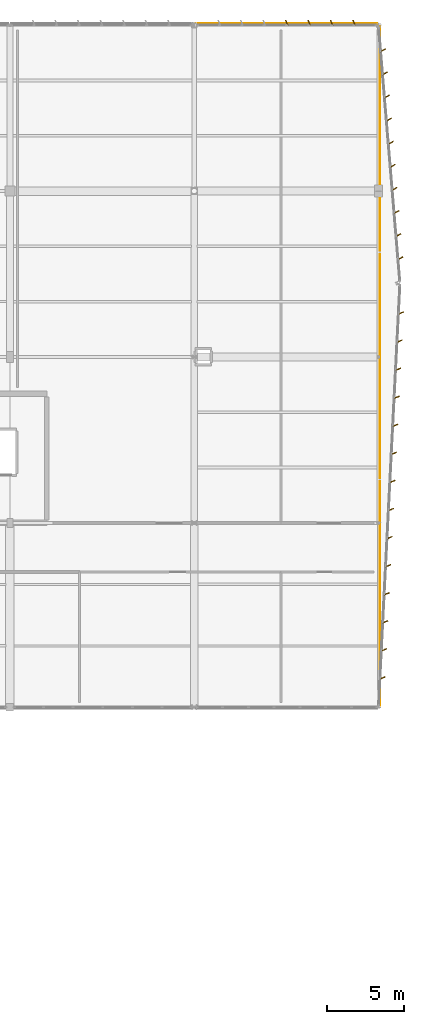
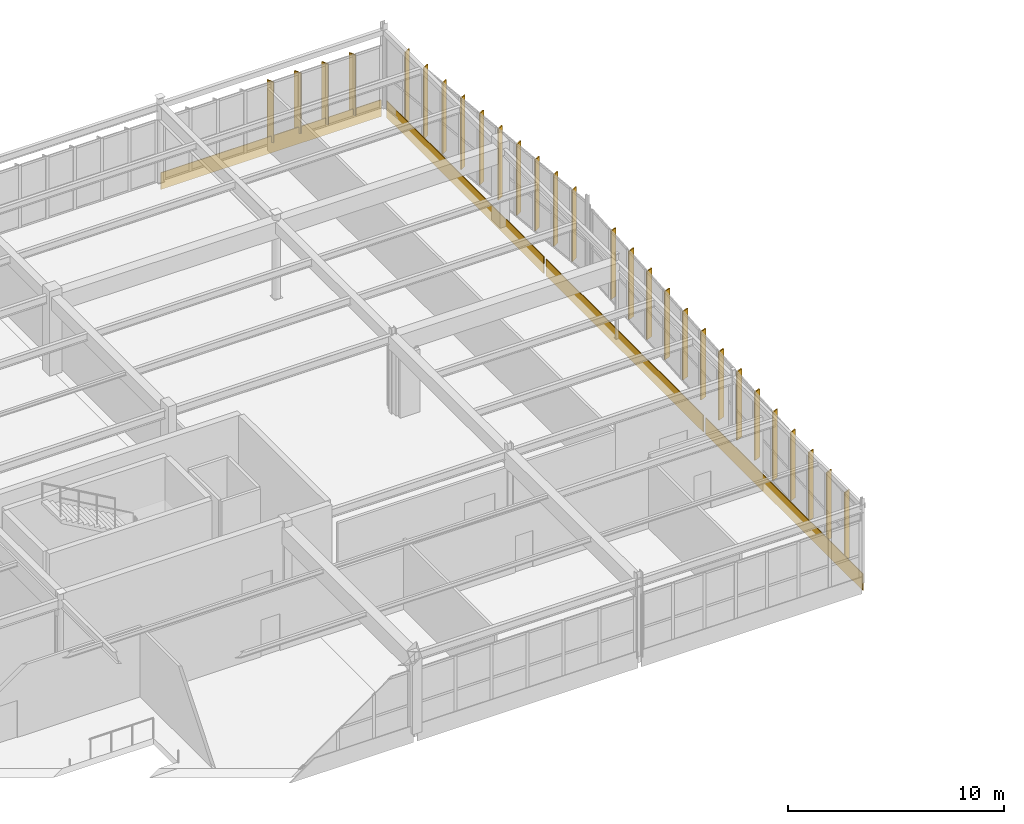
# One storey, part 226 of 226: 28 shading devices, 4 coverings.
"""IFC4 building model written with IfcOpenShell, lengths in metres."""

import ifcopenshell
import ifcopenshell.guid

model = None  # the IFC model being written
_history = None  # IfcOwnerHistory: only IFC2X3 demands one
_inside = {}  # id of a spatial element -> (the spatial element, [elements in it])
_under = {}  # id of a project, library or spatial element -> (it, [spatial elements below it])
_declared = {}  # id of a project -> (the project, [libraries it declares])
_typed = {}  # id of a type object -> (the type object, [elements of that type])
_made_of = {}  # id of a material, layer set ... -> (it, [elements and type objects made of it])


def new_model(schema):
    """Start an empty IFC model of exactly this schema.

    Asked for "IFC4X3", IfcOpenShell would pick the latest addendum, in which some entities
    have other attributes; the version numbers below select the first issue.
    IFC2X3 requires an IfcOwnerHistory on every rooted entity: one is made here for all.
    """
    global model, _history
    if schema == "IFC4X3":
        model = ifcopenshell.file(schema_version=(4, 3, 0, 0))
    else:
        model = ifcopenshell.file(schema=schema)
    _inside.clear()
    _under.clear()
    _declared.clear()
    _typed.clear()
    _made_of.clear()
    _history = None
    if model.schema == "IFC2X3":
        org = make("IfcOrganization", Name="unknown")
        user = make(
            "IfcPersonAndOrganization",
            ThePerson=make("IfcPerson", FamilyName="unknown"),
            TheOrganization=org,
        )
        app = make(
            "IfcApplication",
            ApplicationDeveloper=org,
            Version="unknown",
            ApplicationFullName="unknown",
            ApplicationIdentifier="unknown",
        )
        _history = make(
            "IfcOwnerHistory",
            OwningUser=user,
            OwningApplication=app,
            ChangeAction="ADDED",
            CreationDate=0,
        )
    return model


def make(cls, **values):
    """One entity of the class cls with the attributes given. An attribute that is None is left unset."""
    return model.create_entity(
        cls, **{name: value for name, value in values.items() if value is not None}
    )


def rooted(cls, **values):
    """An entity with a GlobalId (a new one), such as an element, a storey or a relation."""
    return make(cls, GlobalId=ifcopenshell.guid.new(), OwnerHistory=_history, **values)


def si_unit(unit_type, name, prefix=None):
    """IfcSIUnit, for example si_unit("LENGTHUNIT", "METRE", prefix="MILLI")."""
    return make("IfcSIUnit", UnitType=unit_type, Prefix=prefix, Name=name)


def assignment(units):
    """IfcUnitAssignment: the units of a project."""
    return None if units is None else make("IfcUnitAssignment", Units=units)


def point(xyz):
    """IfcCartesianPoint."""
    return None if xyz is None else make("IfcCartesianPoint", Coordinates=xyz)


def direction(xyz):
    """IfcDirection."""
    return None if xyz is None else make("IfcDirection", DirectionRatios=xyz)


def frame(location, z_axis=None, x_axis=None):
    """IfcAxis2Placement3D, a coordinate frame: its origin and axes. An axis left out is left unset."""
    return make(
        "IfcAxis2Placement3D",
        Location=point(location),
        Axis=direction(z_axis),
        RefDirection=direction(x_axis),
    )


def frame_2d(location, x_axis=None):
    """IfcAxis2Placement2D, a coordinate frame in the plane: its origin and x axis."""
    return make(
        "IfcAxis2Placement2D", Location=point(location), RefDirection=direction(x_axis)
    )


def origin():
    """The frame at (0, 0, 0) with its axes left unset."""
    return frame((0.0, 0.0, 0.0))


def origin_2d():
    """The frame at (0, 0) in the plane with its x axis left unset."""
    return frame_2d((0.0, 0.0))


def place(relative_to, where):
    """IfcLocalPlacement: puts the frame where relative to a parent placement (None: the world)."""
    return make(
        "IfcLocalPlacement", PlacementRelTo=relative_to, RelativePlacement=where
    )


def context(
    kind, dimensions, precision=None, world=None, true_north=None, identifier=None
):
    """IfcGeometricRepresentationContext, for example the 3D "Model" context."""
    return make(
        "IfcGeometricRepresentationContext",
        ContextIdentifier=identifier,
        ContextType=kind,
        CoordinateSpaceDimension=dimensions,
        Precision=precision,
        WorldCoordinateSystem=world,
        TrueNorth=true_north,
    )


def subcontext(parent, identifier, kind, view, scale=None):
    """IfcGeometricRepresentationSubContext, for example "Body" below "Model"."""
    return make(
        "IfcGeometricRepresentationSubContext",
        ContextIdentifier=identifier,
        ContextType=kind,
        ParentContext=parent,
        TargetScale=scale,
        TargetView=view,
    )


def project(units=None, contexts=None):
    """IfcProject with its units and contexts."""
    return rooted(
        "IfcProject",
        Name="project",
        RepresentationContexts=contexts,
        UnitsInContext=assignment(units),
    )


def spatial(cls, under=None, at=None, **own):
    """A site, building, storey or space (cls), placed at a placement, below another one or the project."""
    s = rooted(cls, ObjectPlacement=at, **own)
    if under is not None:
        _under.setdefault(under.id(), (under, []))[1].append(s)
    return s


def profile(cls, at=None, kind="AREA", **sizes):
    """A parametric profile (cls). Its sizes go by their IFC names, for example OverallWidth=200.0."""
    return make(cls, ProfileType=kind, Position=at, **sizes)


def rectangle(**sizes):
    """IfcRectangleProfileDef."""
    return profile("IfcRectangleProfileDef", **sizes)


def extrude(swept, where, along, depth):
    """IfcExtrudedAreaSolid: the profile swept, set in the frame where, extruded along a direction by depth."""
    return make(
        "IfcExtrudedAreaSolid",
        SweptArea=swept,
        Position=where,
        ExtrudedDirection=direction(along),
        Depth=depth,
    )


def shape(context_of_items, identifier, shape_type, items):
    """IfcShapeRepresentation: the items that make up one representation, for example the "Body"."""
    return make(
        "IfcShapeRepresentation",
        ContextOfItems=context_of_items,
        RepresentationIdentifier=identifier,
        RepresentationType=shape_type,
        Items=items,
    )


def material(Name=None, Category=None):
    """IfcMaterial."""
    return make("IfcMaterial", Name=Name, Category=Category)


def layer(
    of_material, thickness, ventilated=None, Name=None, Category=None, Priority=None
):
    """IfcMaterialLayer: one layer of a wall or slab, of a material (None: an air gap)."""
    return make(
        "IfcMaterialLayer",
        Material=of_material,
        LayerThickness=thickness,
        IsVentilated=ventilated,
        Name=Name,
        Category=Category,
        Priority=Priority,
    )


def layer_set(layers, Name=None):
    """IfcMaterialLayerSet."""
    return make("IfcMaterialLayerSet", MaterialLayers=layers, LayerSetName=Name)


def made_of(thing, what):
    """Note that an element or type object is made of a material, layer set ...; save() writes the relation."""
    if what is not None:
        _made_of.setdefault(what.id(), (what, []))[1].append(thing)
    return thing


def type_object(cls, material=None, **own):
    """A type object (cls), such as IfcWallType, which elements share."""
    return made_of(rooted(cls, **own), material)


def element(
    cls,
    number,
    at=None,
    inside=None,
    cuts=None,
    type_object=None,
    material=None,
    context=None,
    identifier="Body",
    shape_type=None,
    held_by="IfcProductDefinitionShape",
    body=None,
    shapes=None,
    **own,
):
    """One element of the class cls, such as IfcWall. Its Tag is "e" and its number.

    at: its placement. inside: the storey or other place that contains it. cuts: it is an
    opening in that element (IfcRelVoidsElement). A single representation is given by context,
    identifier, shape_type and body (its items); several are given by shapes. held_by: the class
    of the entity that holds the representations. save() writes the other relations.
    """
    e = rooted(cls, Tag="e%d" % number, ObjectPlacement=at, **own)
    if body is not None:
        shapes = [shape(context, identifier, shape_type, body)]
    if shapes is not None:
        e.Representation = make(held_by, Representations=shapes)
    if inside is not None:
        _inside.setdefault(inside.id(), (inside, []))[1].append(e)
    if cuts is not None:
        rooted(
            "IfcRelVoidsElement", RelatingBuildingElement=cuts, RelatedOpeningElement=e
        )
    if type_object is not None:
        _typed.setdefault(type_object.id(), (type_object, []))[1].append(e)
    return made_of(e, material)


def aggregate(whole, parts):
    """IfcRelAggregates: a whole, such as a stair, and the parts it consists of."""
    return rooted("IfcRelAggregates", RelatingObject=whole, RelatedObjects=parts)


def save(model, path):
    """Write the relations noted so far, then the file.

    IfcRelAggregates (storeys below a building ...), IfcRelContainedInSpatialStructure (elements
    in a storey), IfcRelDefinesByType, IfcRelAssociatesMaterial and IfcRelDeclares: one each for
    every whole, place, type object, material and project.
    """
    for whole, parts in _under.values():
        aggregate(whole, parts)
    for where, things in _inside.values():
        rooted(
            "IfcRelContainedInSpatialStructure",
            RelatedElements=things,
            RelatingStructure=where,
        )
    for kind, things in _typed.values():
        rooted("IfcRelDefinesByType", RelatedObjects=things, RelatingType=kind)
    for what, things in _made_of.values():
        rooted("IfcRelAssociatesMaterial", RelatedObjects=things, RelatingMaterial=what)
    for by, libraries in _declared.values():
        rooted("IfcRelDeclares", RelatingContext=by, RelatedDefinitions=libraries)
    model.write(path)


model = new_model("IFC4")

# Units and contexts
model_context = context("Model", 3, precision=1e-05, world=origin(), true_north=direction((0.0, 1.0)))
body_context = subcontext(model_context, "Body", "Model", "MODEL_VIEW")
ifc_project = project(units=[si_unit("LENGTHUNIT", "METRE"), si_unit("AREAUNIT", "SQUARE_METRE"), si_unit("VOLUMEUNIT", "CUBIC_METRE"), si_unit("PLANEANGLEUNIT", "RADIAN"), si_unit("MASSUNIT", "GRAM", prefix="KILO")], contexts=[model_context])

# Site, building, storey
site_placement = place(None, origin())
site = spatial("IfcSite", under=ifc_project, at=site_placement, CompositionType="ELEMENT")
building_placement = place(site_placement, origin())
building = spatial("IfcBuilding", under=site, at=building_placement, Name="Tarnwether General Hospital", CompositionType="ELEMENT")
storey_placement = place(building_placement, frame((0.0, 0.0, 4.800048828125)))
storey = spatial("IfcBuildingStorey", under=building, at=storey_placement, Name="L01", CompositionType="ELEMENT", Elevation=4.800048828125)

# Coverings
ifc_material_1 = material(Name="Folded zinc-titanium cladding")
ifc_layer_1 = layer(ifc_material_1, 0.0400390625)
ifc_layer_set_1 = layer_set([ifc_layer_1], Name="Folded zinc-titanium cladding")
covering_type = type_object("IfcCoveringType", Name="CV-CLD-ZNC", PredefinedType="CLADDING", material=ifc_layer_set_1)
covering_placement = place(storey_placement, frame((186.0, 126.090087890625, -0.55517578125), z_axis=(0.0, 0.0, 1.0), x_axis=(1.0, 0.0, 0.0)))
element("IfcCovering", 1, at=covering_placement, inside=storey, type_object=covering_type, Name="Deconstructivist Faceted Zinc Spandrel Blade 016", PredefinedType="CLADDING", context=body_context, shape_type="SweptSolid", body=[
    extrude(rectangle(XDim=11.800048828125, YDim=0.0400390625, at=origin_2d()), origin(), (0.0, 0.0, 1.0), 0.949951171875),
])
for number, where, z_axis, x_axis, name in (
    (2, (192.090087890625, 89.0, -0.55517578125), (0.0, 0.0, 1.0), (0.0, 1.0, 0.0), "Deconstructivist East Faceted Zinc Spandrel 020"),
    (3, (192.090087890625, 103.800048828125, -0.55517578125), (0.0, 0.0, 1.0), (0.0, 1.0, 0.0), "Deconstructivist East Faceted Zinc Spandrel 021"),
    (4, (192.090087890625, 118.60009765625, -0.55517578125), (0.0, 0.0, 1.0), (0.0, 1.0, 0.0), "Deconstructivist East Faceted Zinc Spandrel 022"),
):
    element("IfcCovering", number, at=place(storey_placement, frame(where, z_axis=z_axis, x_axis=x_axis)), inside=storey, type_object=covering_type, Name=name, PredefinedType="CLADDING", context=body_context, shape_type="SweptSolid", body=[
        extrude(rectangle(XDim=14.60009765625, YDim=0.0400390625, at=origin_2d()), origin(), (0.0, 0.0, 1.0), 0.949951171875),
    ])

# Shading devices
ifc_material_2 = material(Name="Champagne-bronze anodised aluminium", Category="aluminium")
ifc_layer_2 = layer(ifc_material_2, 0.06005859375)
ifc_layer_set_2 = layer_set([ifc_layer_2], Name="Champagne-bronze anodised aluminium")
shading_device_type = type_object("IfcShadingDeviceType", Name="SH-FIN-BRZ", PredefinedType="USERDEFINED", material=ifc_layer_set_2)
for number, where, z_axis, x_axis, name in (
    (5, (186.01708984375, 126.159912109375, 0.0498046875), (0.0, 0.0, 1.0), (0.906307787037, 0.422618261741, 0.0), "Champagne-Bronze Brise-Soleil Fin 0338"),
    (6, (187.47900390625, 126.159912109375, 0.0498046875), (0.0, 0.0, 1.0), (0.906307787037, 0.422618261741, 0.0), "Champagne-Bronze Brise-Soleil Fin 0339"),
    (7, (188.94091796875, 126.159912109375, 0.0498046875), (0.0, 0.0, 1.0), (0.906307787037, 0.422618261741, 0.0), "Champagne-Bronze Brise-Soleil Fin 0340"),
    (8, (190.403076171875, 126.159912109375, 0.0498046875), (0.0, 0.0, 1.0), (0.906307787037, 0.422618261741, 0.0), "Champagne-Bronze Brise-Soleil Fin 0341"),
):
    element("IfcShadingDevice", number, at=place(storey_placement, frame(where, z_axis=z_axis, x_axis=x_axis)), inside=storey, type_object=shading_device_type, Name=name, ObjectType="SOLAR FIN", PredefinedType="USERDEFINED", context=body_context, shape_type="SweptSolid", body=[
        extrude(rectangle(XDim=0.06005859375, YDim=0.360107421875, at=origin_2d()), origin(), (0.0, 0.0, 1.0), 3.429931640625),
    ])
for number, where, z_axis, x_axis, name in (
    (9, (192.297119140625, 124.364990234375, 0.0498046875), (0.0, 0.0, 1.0), (0.496368025395, -0.868112195148, 0.0), "Champagne-Bronze Brise-Soleil Fin 0342"),
    (10, (192.422119140625, 122.861083984375, 0.0498046875), (0.0, 0.0, 1.0), (0.496368025395, -0.868112195148, 0.0), "Champagne-Bronze Brise-Soleil Fin 0343"),
    (11, (192.547119140625, 121.35693359375, 0.0498046875), (0.0, 0.0, 1.0), (0.496368025395, -0.868112195148, 0.0), "Champagne-Bronze Brise-Soleil Fin 0344"),
    (12, (192.673095703125, 119.85302734375, 0.0498046875), (0.0, 0.0, 1.0), (0.496368025395, -0.868112195148, 0.0), "Champagne-Bronze Brise-Soleil Fin 0345"),
    (13, (192.798095703125, 118.34912109375, 0.0498046875), (0.0, 0.0, 1.0), (0.496368025395, -0.868112195148, 0.0), "Champagne-Bronze Brise-Soleil Fin 0346"),
    (14, (192.924072265625, 116.844970703125, 0.0498046875), (0.0, 0.0, 1.0), (0.496368025395, -0.868112195148, 0.0), "Champagne-Bronze Brise-Soleil Fin 0347"),
    (15, (193.049072265625, 115.341064453125, 0.0498046875), (0.0, 0.0, 1.0), (0.496368025395, -0.868112195148, 0.0), "Champagne-Bronze Brise-Soleil Fin 0348"),
    (16, (193.174072265625, 113.8369140625, 0.0498046875), (0.0, 0.0, 1.0), (0.496368025395, -0.868112195148, 0.0), "Champagne-Bronze Brise-Soleil Fin 0349"),
    (17, (193.300048828125, 112.3330078125, 0.0498046875), (0.0, 0.0, 1.0), (0.496368025395, -0.868112195148, 0.0), "Champagne-Bronze Brise-Soleil Fin 0350"),
    (18, (193.425048828125, 110.8291015625, 0.0498046875), (0.0, 0.0, 1.0), (0.496368025395, -0.868112195148, 0.0), "Champagne-Bronze Brise-Soleil Fin 0351"),
):
    element("IfcShadingDevice", number, at=place(storey_placement, frame(where, z_axis=z_axis, x_axis=x_axis)), inside=storey, type_object=shading_device_type, Name=name, ObjectType="SOLAR FIN", PredefinedType="USERDEFINED", context=body_context, shape_type="SweptSolid", body=[
        extrude(rectangle(XDim=0.06005859375, YDim=0.360107421875, at=origin_2d()), origin(), (0.0, 0.0, 1.0), 4.030029296875),
    ])
for number, where, z_axis, x_axis, name in (
    (19, (193.4619140625, 107.261962890625, 0.050048828125), (0.0, 0.0, 1.0), (0.376224263139, -0.926528630872, 0.0), "Champagne-Bronze Brise-Soleil Fin 0352"),
    (20, (193.368896484375, 105.43408203125, 0.050048828125), (0.0, 0.0, 1.0), (0.376224263139, -0.926528630872, 0.0), "Champagne-Bronze Brise-Soleil Fin 0353"),
    (21, (193.277099609375, 103.60693359375, 0.050048828125), (0.0, 0.0, 1.0), (0.376224263139, -0.926528630872, 0.0), "Champagne-Bronze Brise-Soleil Fin 0354"),
    (22, (193.18408203125, 101.780029296875, 0.050048828125), (0.0, 0.0, 1.0), (0.376224263139, -0.926528630872, 0.0), "Champagne-Bronze Brise-Soleil Fin 0355"),
    (23, (193.091064453125, 99.952880859375, 0.050048828125), (0.0, 0.0, 1.0), (0.376224263139, -0.926528630872, 0.0), "Champagne-Bronze Brise-Soleil Fin 0356"),
    (24, (192.998046875, 98.125, 0.050048828125), (0.0, 0.0, 1.0), (0.376224263139, -0.926528630872, 0.0), "Champagne-Bronze Brise-Soleil Fin 0357"),
    (25, (192.906005859375, 96.298095703125, 0.050048828125), (0.0, 0.0, 1.0), (0.376224263139, -0.926528630872, 0.0), "Champagne-Bronze Brise-Soleil Fin 0358"),
    (26, (192.81298828125, 94.470947265625, 0.050048828125), (0.0, 0.0, 1.0), (0.376224263139, -0.926528630872, 0.0), "Champagne-Bronze Brise-Soleil Fin 0359"),
    (27, (192.719970703125, 92.64306640625, 0.050048828125), (0.0, 0.0, 1.0), (0.376224263139, -0.926528630872, 0.0), "Champagne-Bronze Brise-Soleil Fin 0360"),
    (28, (192.6279296875, 90.81591796875, 0.050048828125), (0.0, 0.0, 1.0), (0.376224263139, -0.926528630872, 0.0), "Champagne-Bronze Brise-Soleil Fin 0361"),
    (29, (192.534912109375, 88.989013671875, 0.050048828125), (0.0, 0.0, 1.0), (0.376224263139, -0.926528630872, 0.0), "Champagne-Bronze Brise-Soleil Fin 0362"),
    (30, (192.44189453125, 87.160888671875, 0.050048828125), (0.0, 0.0, 1.0), (0.376224263139, -0.926528630872, 0.0), "Champagne-Bronze Brise-Soleil Fin 0363"),
    (31, (192.35009765625, 85.333984375, 0.050048828125), (0.0, 0.0, 1.0), (0.376224263139, -0.926528630872, 0.0), "Champagne-Bronze Brise-Soleil Fin 0364"),
    (32, (192.257080078125, 83.507080078125, 0.050048828125), (0.0, 0.0, 1.0), (0.376224263139, -0.926528630872, 0.0), "Champagne-Bronze Brise-Soleil Fin 0365"),
):
    element("IfcShadingDevice", number, at=place(storey_placement, frame(where, z_axis=z_axis, x_axis=x_axis)), inside=storey, type_object=shading_device_type, Name=name, ObjectType="SOLAR FIN", PredefinedType="USERDEFINED", context=body_context, shape_type="SweptSolid", body=[
        extrude(rectangle(XDim=0.06005859375, YDim=0.360107421875, at=origin_2d()), origin(), (0.0, 0.0, 1.0), 3.873046875),
    ])

save(model, "model.ifc")
